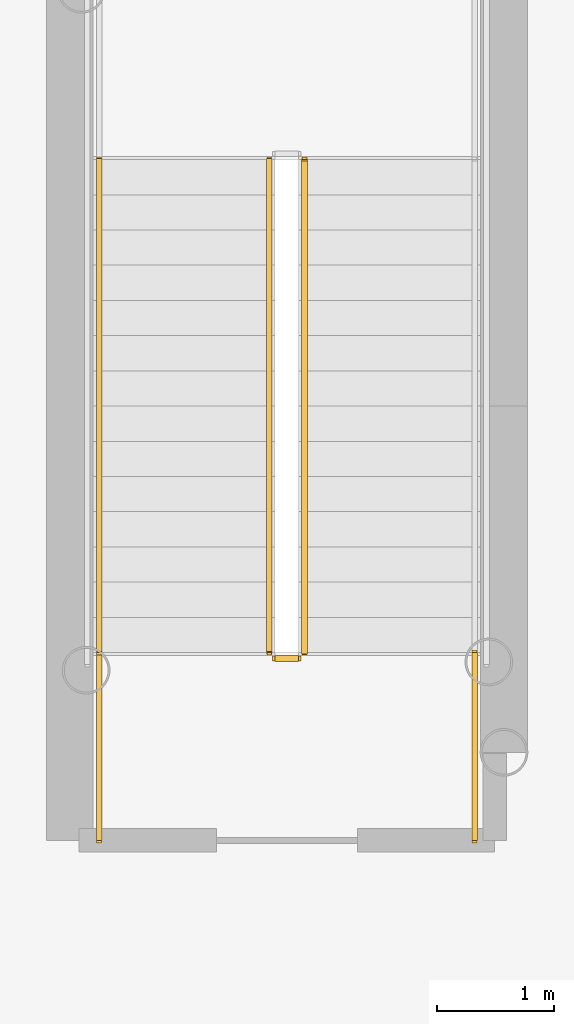
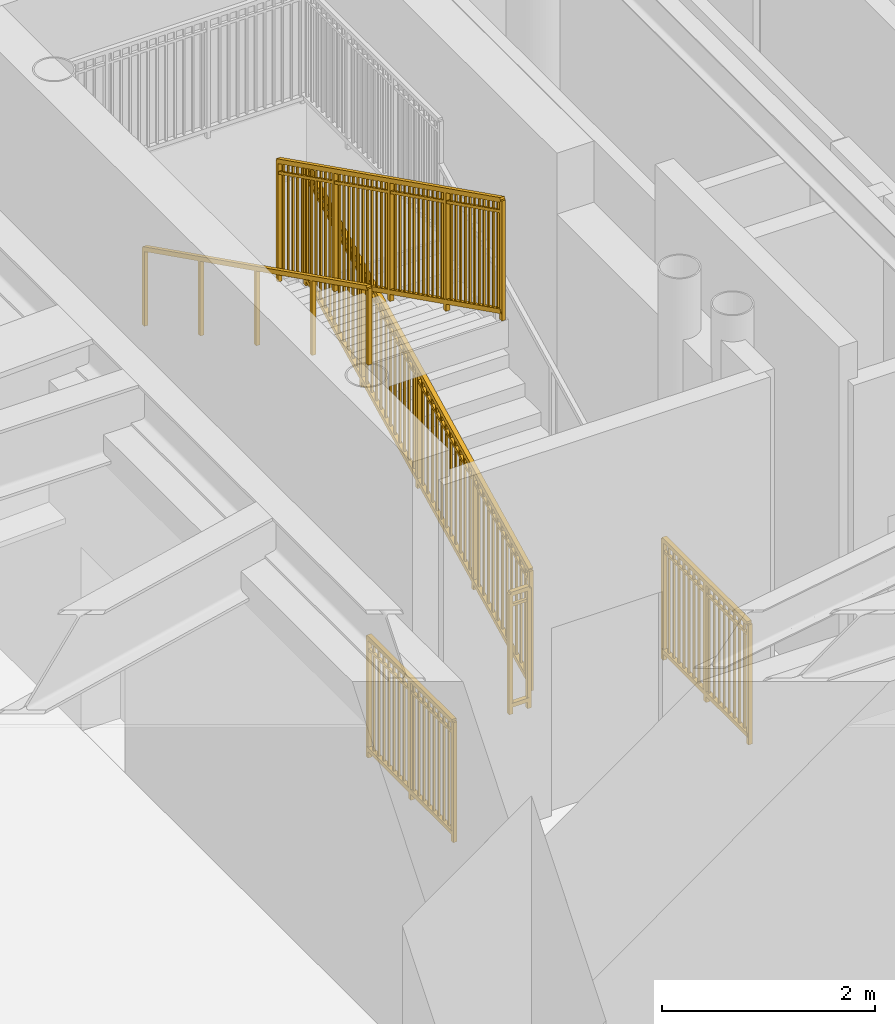
# One storey, part 16 of 21: 6 railings.
"""IFC4 building model written with IfcOpenShell, lengths in metres."""

from ifc_helpers import new_model, si_unit, direction, frame, origin, origin_2d, place, context, subcontext, project, spatial, rectangle, extrude, source, transform, mapped, material, type_object, element, save


model = new_model("IFC4")

# Units and contexts
model_context = context("Model", 3, precision=1e-05, world=origin(), true_north=direction((0.0, 1.0)))
body_context = subcontext(model_context, "Body", "Model", "MODEL_VIEW")
ifc_project = project(units=[si_unit("LENGTHUNIT", "METRE"), si_unit("AREAUNIT", "SQUARE_METRE"), si_unit("VOLUMEUNIT", "CUBIC_METRE"), si_unit("PLANEANGLEUNIT", "RADIAN"), si_unit("MASSUNIT", "GRAM", prefix="KILO")], contexts=[model_context])

# Site, building, storey
site_placement = place(None, origin())
site = spatial("IfcSite", under=ifc_project, at=site_placement, CompositionType="ELEMENT")
building_placement = place(site_placement, origin())
building = spatial("IfcBuilding", under=site, at=building_placement, Name="Linh Dai School and Residence Tower", CompositionType="ELEMENT")
storey_placement = place(building_placement, frame((0.0, 0.0, -4.5)))
storey = spatial("IfcBuildingStorey", under=building, at=storey_placement, Name="B01", CompositionType="ELEMENT", Elevation=-4.5)

# Railings
ifc_material_1 = material(Name="Structural Steel S355JR", Category="steel")
railing_type_1 = type_object("IfcRailingType", Name="RL-ST-GUARD-1400", PredefinedType="GUARDRAIL", material=ifc_material_1)
shared_shape_1 = source(origin(), body_context, "Body", "SweptSolid", [
    extrude(rectangle(XDim=0.048095703125, YDim=0.048095703125, at=origin_2d()), frame((0.0, 0.0, 1.3759765625), z_axis=(0.0, 0.894416792377, 0.447234392142), x_axis=(-1.0, 0.0, 0.0)), (0.0, 0.0, 1.0), 4.69580078125),
    extrude(rectangle(XDim=0.048095703125, YDim=0.048095703125, at=origin_2d()), frame((0.0, 0.0, 0.10009765625), z_axis=(0.0, 0.894416792377, 0.447234392142), x_axis=(-1.0, 0.0, 0.0)), (0.0, 0.0, 1.0), 4.69580078125),
    extrude(rectangle(XDim=0.030029296875, YDim=0.030029296875, at=origin_2d()), frame((0.0, 0.0, 1.239990234375), z_axis=(0.0, 0.894416792377, 0.447234392142), x_axis=(-1.0, 0.0, 0.0)), (0.0, 0.0, 1.0), 4.69580078125),
    extrude(rectangle(XDim=0.02001953125, YDim=0.02001953125, at=origin_2d()), frame((0.0, 0.08740234375, 0.143798828125)), (0.0, 0.0, 1.0), 1.251708984375),
    extrude(rectangle(XDim=0.02001953125, YDim=0.02001953125, at=origin_2d()), frame((0.0, 0.175048828125, 0.1875)), (0.0, 0.0, 1.0), 1.251708984375),
    extrude(rectangle(XDim=0.02001953125, YDim=0.02001953125, at=origin_2d()), frame((0.0, 0.262451171875, 0.2314453125)), (0.0, 0.0, 1.0), 1.251708984375),
    extrude(rectangle(XDim=0.02001953125, YDim=0.02001953125, at=origin_2d()), frame((0.0, 0.35009765625, 0.275146484375)), (0.0, 0.0, 1.0), 1.251708984375),
    extrude(rectangle(XDim=0.02001953125, YDim=0.02001953125, at=origin_2d()), frame((0.0, 0.4375, 0.31884765625)), (0.0, 0.0, 1.0), 1.251708984375),
    extrude(rectangle(XDim=0.02001953125, YDim=0.02001953125, at=origin_2d()), frame((0.0, 0.52490234375, 0.362548828125)), (0.0, 0.0, 1.0), 1.251708984375),
    extrude(rectangle(XDim=0.02001953125, YDim=0.02001953125, at=origin_2d()), frame((0.0, 0.612548828125, 0.40625)), (0.0, 0.0, 1.0), 1.251708984375),
    extrude(rectangle(XDim=0.02001953125, YDim=0.02001953125, at=origin_2d()), frame((0.0, 0.699951171875, 0.4501953125)), (0.0, 0.0, 1.0), 1.251708984375),
    extrude(rectangle(XDim=0.02001953125, YDim=0.02001953125, at=origin_2d()), frame((0.0, 0.78759765625, 0.493896484375)), (0.0, 0.0, 1.0), 1.251708984375),
    extrude(rectangle(XDim=0.02001953125, YDim=0.02001953125, at=origin_2d()), frame((0.0, 0.875, 0.53759765625)), (0.0, 0.0, 1.0), 1.251708984375),
    extrude(rectangle(XDim=0.02001953125, YDim=0.02001953125, at=origin_2d()), frame((0.0, 0.96240234375, 0.581298828125)), (0.0, 0.0, 1.0), 1.251708984375),
    extrude(rectangle(XDim=0.02001953125, YDim=0.02001953125, at=origin_2d()), frame((0.0, 1.137451171875, 0.6689453125)), (0.0, 0.0, 1.0), 1.251708984375),
    extrude(rectangle(XDim=0.02001953125, YDim=0.02001953125, at=origin_2d()), frame((0.0, 1.22509765625, 0.712646484375)), (0.0, 0.0, 1.0), 1.251708984375),
    extrude(rectangle(XDim=0.02001953125, YDim=0.02001953125, at=origin_2d()), frame((0.0, 1.3125, 0.75634765625)), (0.0, 0.0, 1.0), 1.251708984375),
    extrude(rectangle(XDim=0.02001953125, YDim=0.02001953125, at=origin_2d()), frame((0.0, 1.39990234375, 0.800048828125)), (0.0, 0.0, 1.0), 1.251708984375),
    extrude(rectangle(XDim=0.02001953125, YDim=0.02001953125, at=origin_2d()), frame((0.0, 1.487548828125, 0.843994140625)), (0.0, 0.0, 1.0), 1.251708984375),
    extrude(rectangle(XDim=0.02001953125, YDim=0.02001953125, at=origin_2d()), frame((0.0, 1.574951171875, 0.8876953125)), (0.0, 0.0, 1.0), 1.251708984375),
    extrude(rectangle(XDim=0.02001953125, YDim=0.02001953125, at=origin_2d()), frame((0.0, 1.66259765625, 0.931396484375)), (0.0, 0.0, 1.0), 1.251708984375),
    extrude(rectangle(XDim=0.02001953125, YDim=0.02001953125, at=origin_2d()), frame((0.0, 1.75, 0.97509765625)), (0.0, 0.0, 1.0), 1.251708984375),
    extrude(rectangle(XDim=0.02001953125, YDim=0.02001953125, at=origin_2d()), frame((0.0, 1.83740234375, 1.018798828125)), (0.0, 0.0, 1.0), 1.251708984375),
    extrude(rectangle(XDim=0.02001953125, YDim=0.02001953125, at=origin_2d()), frame((0.0, 1.925048828125, 1.062744140625)), (0.0, 0.0, 1.0), 1.251708984375),
    extrude(rectangle(XDim=0.02001953125, YDim=0.02001953125, at=origin_2d()), frame((0.0, 2.012451171875, 1.1064453125)), (0.0, 0.0, 1.0), 1.251708984375),
    extrude(rectangle(XDim=0.02001953125, YDim=0.02001953125, at=origin_2d()), frame((0.0, 2.1875, 1.19384765625)), (0.0, 0.0, 1.0), 1.251708984375),
    extrude(rectangle(XDim=0.02001953125, YDim=0.02001953125, at=origin_2d()), frame((0.0, 2.27490234375, 1.237548828125)), (0.0, 0.0, 1.0), 1.251708984375),
    extrude(rectangle(XDim=0.02001953125, YDim=0.02001953125, at=origin_2d()), frame((0.0, 2.362548828125, 1.281494140625)), (0.0, 0.0, 1.0), 1.251708984375),
    extrude(rectangle(XDim=0.02001953125, YDim=0.02001953125, at=origin_2d()), frame((0.0, 2.449951171875, 1.3251953125)), (0.0, 0.0, 1.0), 1.251708984375),
    extrude(rectangle(XDim=0.02001953125, YDim=0.02001953125, at=origin_2d()), frame((0.0, 2.537353515625, 1.368896484375)), (0.0, 0.0, 1.0), 1.251708984375),
    extrude(rectangle(XDim=0.02001953125, YDim=0.02001953125, at=origin_2d()), frame((0.0, 2.625, 1.41259765625)), (0.0, 0.0, 1.0), 1.251708984375),
    extrude(rectangle(XDim=0.02001953125, YDim=0.02001953125, at=origin_2d()), frame((0.0, 2.71240234375, 1.456298828125)), (0.0, 0.0, 1.0), 1.251708984375),
    extrude(rectangle(XDim=0.02001953125, YDim=0.02001953125, at=origin_2d()), frame((0.0, 2.800048828125, 1.500244140625)), (0.0, 0.0, 1.0), 1.251708984375),
    extrude(rectangle(XDim=0.02001953125, YDim=0.02001953125, at=origin_2d()), frame((0.0, 2.887451171875, 1.5439453125)), (0.0, 0.0, 1.0), 1.251708984375),
    extrude(rectangle(XDim=0.02001953125, YDim=0.02001953125, at=origin_2d()), frame((0.0, 2.974853515625, 1.587646484375)), (0.0, 0.0, 1.0), 1.251708984375),
    extrude(rectangle(XDim=0.02001953125, YDim=0.02001953125, at=origin_2d()), frame((0.0, 3.0625, 1.63134765625)), (0.0, 0.0, 1.0), 1.251708984375),
    extrude(rectangle(XDim=0.02001953125, YDim=0.02001953125, at=origin_2d()), frame((0.0, 3.237548828125, 1.718994140625)), (0.0, 0.0, 1.0), 1.251708984375),
    extrude(rectangle(XDim=0.02001953125, YDim=0.02001953125, at=origin_2d()), frame((0.0, 3.324951171875, 1.7626953125)), (0.0, 0.0, 1.0), 1.251708984375),
    extrude(rectangle(XDim=0.02001953125, YDim=0.02001953125, at=origin_2d()), frame((0.0, 3.412353515625, 1.806396484375)), (0.0, 0.0, 1.0), 1.251708984375),
    extrude(rectangle(XDim=0.02001953125, YDim=0.02001953125, at=origin_2d()), frame((0.0, 3.5, 1.85009765625)), (0.0, 0.0, 1.0), 1.251708984375),
    extrude(rectangle(XDim=0.02001953125, YDim=0.02001953125, at=origin_2d()), frame((0.0, 3.58740234375, 1.89404296875)), (0.0, 0.0, 1.0), 1.251708984375),
    extrude(rectangle(XDim=0.02001953125, YDim=0.02001953125, at=origin_2d()), frame((0.0, 3.675048828125, 1.937744140625)), (0.0, 0.0, 1.0), 1.251708984375),
    extrude(rectangle(XDim=0.02001953125, YDim=0.02001953125, at=origin_2d()), frame((0.0, 3.762451171875, 1.9814453125)), (0.0, 0.0, 1.0), 1.251708984375),
    extrude(rectangle(XDim=0.02001953125, YDim=0.02001953125, at=origin_2d()), frame((0.0, 3.849853515625, 2.025146484375)), (0.0, 0.0, 1.0), 1.251708984375),
    extrude(rectangle(XDim=0.02001953125, YDim=0.02001953125, at=origin_2d()), frame((0.0, 3.9375, 2.06884765625)), (0.0, 0.0, 1.0), 1.251708984375),
    extrude(rectangle(XDim=0.02001953125, YDim=0.02001953125, at=origin_2d()), frame((0.0, 4.02490234375, 2.11279296875)), (0.0, 0.0, 1.0), 1.251708984375),
    extrude(rectangle(XDim=0.02001953125, YDim=0.02001953125, at=origin_2d()), frame((0.0, 4.112548828125, 2.156494140625)), (0.0, 0.0, 1.0), 1.251708984375),
    extrude(rectangle(XDim=0.0419921875, YDim=0.0419921875, at=origin_2d()), origin(), (0.0, 0.0, 1.0), 1.3759765625),
    extrude(rectangle(XDim=0.0419921875, YDim=0.0419921875, at=origin_2d()), frame((0.0, 1.050048828125, 0.52490234375)), (0.0, 0.0, 1.0), 1.3759765625),
    extrude(rectangle(XDim=0.0419921875, YDim=0.0419921875, at=origin_2d()), frame((0.0, 2.10009765625, 1.050048828125)), (0.0, 0.0, 1.0), 1.3759765625),
    extrude(rectangle(XDim=0.0419921875, YDim=0.0419921875, at=origin_2d()), frame((0.0, 3.14990234375, 1.5751953125)), (0.0, 0.0, 1.0), 1.3759765625),
    extrude(rectangle(XDim=0.0419921875, YDim=0.0419921875, at=origin_2d()), frame((0.0, 4.199951171875, 2.10009765625)), (0.0, 0.0, 1.0), 1.3759765625),
])
railing_1_placement = place(storey_placement, frame((29.47998046875, 25.699951171875, 0.14990234375)))
element("IfcRailing", 1, at=railing_1_placement, inside=storey, type_object=railing_type_1, Name="B01 ST1 stair guard 1", PredefinedType="GUARDRAIL", context=body_context, shape_type="MappedRepresentation", body=[
    mapped(shared_shape_1, transform((0.0, 0.0, 0.0), x_axis=(1.0, 0.0, 0.0), y_axis=(0.0, 1.0, 0.0), z_axis=(0.0, 0.0, 1.0), scale=1.0)),
])
shared_shape_2 = source(origin(), body_context, "Body", "SweptSolid", [
    extrude(rectangle(XDim=0.048095703125, YDim=0.048095703125, at=origin_2d()), frame((0.0, 0.0, 1.3759765625), z_axis=(-1.0, 0.0, 0.0), x_axis=(0.0, -1.0, 0.0)), (0.0, 0.0, 1.0), 0.199951171875),
    extrude(rectangle(XDim=0.048095703125, YDim=0.048095703125, at=origin_2d()), frame((0.0, 0.0, 0.10009765625), z_axis=(-1.0, 0.0, 0.0), x_axis=(0.0, -1.0, 0.0)), (0.0, 0.0, 1.0), 0.199951171875),
    extrude(rectangle(XDim=0.030029296875, YDim=0.030029296875, at=origin_2d()), frame((0.0, 0.0, 1.239990234375), z_axis=(-1.0, 0.0, 0.0), x_axis=(0.0, -1.0, 0.0)), (0.0, 0.0, 1.0), 0.199951171875),
    extrude(rectangle(XDim=0.0419921875, YDim=0.0419921875, at=origin_2d()), origin(), (0.0, 0.0, 1.0), 1.3759765625),
    extrude(rectangle(XDim=0.0419921875, YDim=0.0419921875, at=origin_2d()), frame((-0.199951171875, 0.0, 0.0)), (0.0, 0.0, 1.0), 1.3759765625),
])
railing_2_placement = place(storey_placement, frame((29.429931640625, 25.64990234375, 0.0)))
element("IfcRailing", 2, at=railing_2_placement, inside=storey, type_object=railing_type_1, Name="B01 ST1 stair guard 7", PredefinedType="GUARDRAIL", context=body_context, shape_type="MappedRepresentation", body=[
    mapped(shared_shape_2, transform((0.0, 0.0, 0.0), x_axis=(1.0, 0.0, 0.0), y_axis=(0.0, 1.0, 0.0), z_axis=(0.0, 0.0, 1.0), scale=1.0)),
])
shared_shape_3 = source(origin(), body_context, "Body", "SweptSolid", [
    extrude(rectangle(XDim=0.048095703125, YDim=0.048095703125, at=origin_2d()), frame((0.0, 0.0, 1.3759765625), z_axis=(0.0, -0.894416792377, 0.447234392142), x_axis=(1.0, 0.0, 0.0)), (0.0, 0.0, 1.0), 4.69580078125),
    extrude(rectangle(XDim=0.048095703125, YDim=0.048095703125, at=origin_2d()), frame((0.0, 0.0, 0.10009765625), z_axis=(0.0, -0.894416792377, 0.447234392142), x_axis=(1.0, 0.0, 0.0)), (0.0, 0.0, 1.0), 4.69580078125),
    extrude(rectangle(XDim=0.030029296875, YDim=0.030029296875, at=origin_2d()), frame((0.0, 0.0, 1.239990234375), z_axis=(0.0, -0.894416792377, 0.447234392142), x_axis=(1.0, 0.0, 0.0)), (0.0, 0.0, 1.0), 4.69580078125),
    extrude(rectangle(XDim=0.02001953125, YDim=0.02001953125, at=origin_2d()), frame((0.0, -0.08740234375, 0.143798828125)), (0.0, 0.0, 1.0), 1.251708984375),
    extrude(rectangle(XDim=0.02001953125, YDim=0.02001953125, at=origin_2d()), frame((0.0, -0.175048828125, 0.1875)), (0.0, 0.0, 1.0), 1.251708984375),
    extrude(rectangle(XDim=0.02001953125, YDim=0.02001953125, at=origin_2d()), frame((0.0, -0.262451171875, 0.2314453125)), (0.0, 0.0, 1.0), 1.251708984375),
    extrude(rectangle(XDim=0.02001953125, YDim=0.02001953125, at=origin_2d()), frame((0.0, -0.35009765625, 0.275146484375)), (0.0, 0.0, 1.0), 1.251708984375),
    extrude(rectangle(XDim=0.02001953125, YDim=0.02001953125, at=origin_2d()), frame((0.0, -0.4375, 0.31884765625)), (0.0, 0.0, 1.0), 1.251708984375),
    extrude(rectangle(XDim=0.02001953125, YDim=0.02001953125, at=origin_2d()), frame((0.0, -0.52490234375, 0.362548828125)), (0.0, 0.0, 1.0), 1.251708984375),
    extrude(rectangle(XDim=0.02001953125, YDim=0.02001953125, at=origin_2d()), frame((0.0, -0.612548828125, 0.40625)), (0.0, 0.0, 1.0), 1.251708984375),
    extrude(rectangle(XDim=0.02001953125, YDim=0.02001953125, at=origin_2d()), frame((0.0, -0.699951171875, 0.4501953125)), (0.0, 0.0, 1.0), 1.251708984375),
    extrude(rectangle(XDim=0.02001953125, YDim=0.02001953125, at=origin_2d()), frame((0.0, -0.78759765625, 0.493896484375)), (0.0, 0.0, 1.0), 1.251708984375),
    extrude(rectangle(XDim=0.02001953125, YDim=0.02001953125, at=origin_2d()), frame((0.0, -0.875, 0.53759765625)), (0.0, 0.0, 1.0), 1.251708984375),
    extrude(rectangle(XDim=0.02001953125, YDim=0.02001953125, at=origin_2d()), frame((0.0, -0.96240234375, 0.581298828125)), (0.0, 0.0, 1.0), 1.251708984375),
    extrude(rectangle(XDim=0.02001953125, YDim=0.02001953125, at=origin_2d()), frame((0.0, -1.137451171875, 0.6689453125)), (0.0, 0.0, 1.0), 1.251708984375),
    extrude(rectangle(XDim=0.02001953125, YDim=0.02001953125, at=origin_2d()), frame((0.0, -1.22509765625, 0.712646484375)), (0.0, 0.0, 1.0), 1.251708984375),
    extrude(rectangle(XDim=0.02001953125, YDim=0.02001953125, at=origin_2d()), frame((0.0, -1.3125, 0.75634765625)), (0.0, 0.0, 1.0), 1.251708984375),
    extrude(rectangle(XDim=0.02001953125, YDim=0.02001953125, at=origin_2d()), frame((0.0, -1.39990234375, 0.800048828125)), (0.0, 0.0, 1.0), 1.251708984375),
    extrude(rectangle(XDim=0.02001953125, YDim=0.02001953125, at=origin_2d()), frame((0.0, -1.487548828125, 0.843994140625)), (0.0, 0.0, 1.0), 1.251708984375),
    extrude(rectangle(XDim=0.02001953125, YDim=0.02001953125, at=origin_2d()), frame((0.0, -1.574951171875, 0.8876953125)), (0.0, 0.0, 1.0), 1.251708984375),
    extrude(rectangle(XDim=0.02001953125, YDim=0.02001953125, at=origin_2d()), frame((0.0, -1.66259765625, 0.931396484375)), (0.0, 0.0, 1.0), 1.251708984375),
    extrude(rectangle(XDim=0.02001953125, YDim=0.02001953125, at=origin_2d()), frame((0.0, -1.75, 0.97509765625)), (0.0, 0.0, 1.0), 1.251708984375),
    extrude(rectangle(XDim=0.02001953125, YDim=0.02001953125, at=origin_2d()), frame((0.0, -1.83740234375, 1.018798828125)), (0.0, 0.0, 1.0), 1.251708984375),
    extrude(rectangle(XDim=0.02001953125, YDim=0.02001953125, at=origin_2d()), frame((0.0, -1.925048828125, 1.062744140625)), (0.0, 0.0, 1.0), 1.251708984375),
    extrude(rectangle(XDim=0.02001953125, YDim=0.02001953125, at=origin_2d()), frame((0.0, -2.012451171875, 1.1064453125)), (0.0, 0.0, 1.0), 1.251708984375),
    extrude(rectangle(XDim=0.02001953125, YDim=0.02001953125, at=origin_2d()), frame((0.0, -2.1875, 1.19384765625)), (0.0, 0.0, 1.0), 1.251708984375),
    extrude(rectangle(XDim=0.02001953125, YDim=0.02001953125, at=origin_2d()), frame((0.0, -2.27490234375, 1.237548828125)), (0.0, 0.0, 1.0), 1.251708984375),
    extrude(rectangle(XDim=0.02001953125, YDim=0.02001953125, at=origin_2d()), frame((0.0, -2.362548828125, 1.281494140625)), (0.0, 0.0, 1.0), 1.251708984375),
    extrude(rectangle(XDim=0.02001953125, YDim=0.02001953125, at=origin_2d()), frame((0.0, -2.449951171875, 1.3251953125)), (0.0, 0.0, 1.0), 1.251708984375),
    extrude(rectangle(XDim=0.02001953125, YDim=0.02001953125, at=origin_2d()), frame((0.0, -2.537353515625, 1.368896484375)), (0.0, 0.0, 1.0), 1.251708984375),
    extrude(rectangle(XDim=0.02001953125, YDim=0.02001953125, at=origin_2d()), frame((0.0, -2.625, 1.41259765625)), (0.0, 0.0, 1.0), 1.251708984375),
    extrude(rectangle(XDim=0.02001953125, YDim=0.02001953125, at=origin_2d()), frame((0.0, -2.71240234375, 1.456298828125)), (0.0, 0.0, 1.0), 1.251708984375),
    extrude(rectangle(XDim=0.02001953125, YDim=0.02001953125, at=origin_2d()), frame((0.0, -2.800048828125, 1.500244140625)), (0.0, 0.0, 1.0), 1.251708984375),
    extrude(rectangle(XDim=0.02001953125, YDim=0.02001953125, at=origin_2d()), frame((0.0, -2.887451171875, 1.5439453125)), (0.0, 0.0, 1.0), 1.251708984375),
    extrude(rectangle(XDim=0.02001953125, YDim=0.02001953125, at=origin_2d()), frame((0.0, -2.974853515625, 1.587646484375)), (0.0, 0.0, 1.0), 1.251708984375),
    extrude(rectangle(XDim=0.02001953125, YDim=0.02001953125, at=origin_2d()), frame((0.0, -3.0625, 1.63134765625)), (0.0, 0.0, 1.0), 1.251708984375),
    extrude(rectangle(XDim=0.02001953125, YDim=0.02001953125, at=origin_2d()), frame((0.0, -3.237548828125, 1.718994140625)), (0.0, 0.0, 1.0), 1.251708984375),
    extrude(rectangle(XDim=0.02001953125, YDim=0.02001953125, at=origin_2d()), frame((0.0, -3.324951171875, 1.7626953125)), (0.0, 0.0, 1.0), 1.251708984375),
    extrude(rectangle(XDim=0.02001953125, YDim=0.02001953125, at=origin_2d()), frame((0.0, -3.412353515625, 1.806396484375)), (0.0, 0.0, 1.0), 1.251708984375),
    extrude(rectangle(XDim=0.02001953125, YDim=0.02001953125, at=origin_2d()), frame((0.0, -3.5, 1.85009765625)), (0.0, 0.0, 1.0), 1.251708984375),
    extrude(rectangle(XDim=0.02001953125, YDim=0.02001953125, at=origin_2d()), frame((0.0, -3.58740234375, 1.89404296875)), (0.0, 0.0, 1.0), 1.251708984375),
    extrude(rectangle(XDim=0.02001953125, YDim=0.02001953125, at=origin_2d()), frame((0.0, -3.675048828125, 1.937744140625)), (0.0, 0.0, 1.0), 1.251708984375),
    extrude(rectangle(XDim=0.02001953125, YDim=0.02001953125, at=origin_2d()), frame((0.0, -3.762451171875, 1.9814453125)), (0.0, 0.0, 1.0), 1.251708984375),
    extrude(rectangle(XDim=0.02001953125, YDim=0.02001953125, at=origin_2d()), frame((0.0, -3.849853515625, 2.025146484375)), (0.0, 0.0, 1.0), 1.251708984375),
    extrude(rectangle(XDim=0.02001953125, YDim=0.02001953125, at=origin_2d()), frame((0.0, -3.9375, 2.06884765625)), (0.0, 0.0, 1.0), 1.251708984375),
    extrude(rectangle(XDim=0.02001953125, YDim=0.02001953125, at=origin_2d()), frame((0.0, -4.02490234375, 2.11279296875)), (0.0, 0.0, 1.0), 1.251708984375),
    extrude(rectangle(XDim=0.02001953125, YDim=0.02001953125, at=origin_2d()), frame((0.0, -4.112548828125, 2.156494140625)), (0.0, 0.0, 1.0), 1.251708984375),
    extrude(rectangle(XDim=0.0419921875, YDim=0.0419921875, at=origin_2d()), origin(), (0.0, 0.0, 1.0), 1.3759765625),
    extrude(rectangle(XDim=0.0419921875, YDim=0.0419921875, at=origin_2d()), frame((0.0, -1.050048828125, 0.52490234375)), (0.0, 0.0, 1.0), 1.3759765625),
    extrude(rectangle(XDim=0.0419921875, YDim=0.0419921875, at=origin_2d()), frame((0.0, -2.10009765625, 1.050048828125)), (0.0, 0.0, 1.0), 1.3759765625),
    extrude(rectangle(XDim=0.0419921875, YDim=0.0419921875, at=origin_2d()), frame((0.0, -3.14990234375, 1.5751953125)), (0.0, 0.0, 1.0), 1.3759765625),
    extrude(rectangle(XDim=0.0419921875, YDim=0.0419921875, at=origin_2d()), frame((0.0, -4.199951171875, 2.10009765625)), (0.0, 0.0, 1.0), 1.3759765625),
])
railing_3_placement = place(storey_placement, frame((29.179931640625, 29.89990234375, 2.39990234375)))
element("IfcRailing", 3, at=railing_3_placement, inside=storey, type_object=railing_type_1, Name="B01 ST1 stair guard 6", PredefinedType="GUARDRAIL", context=body_context, shape_type="MappedRepresentation", body=[
    mapped(shared_shape_3, transform((0.0, 0.0, 0.0), x_axis=(1.0, 0.0, 0.0), y_axis=(0.0, 1.0, 0.0), z_axis=(0.0, 0.0, 1.0), scale=1.0)),
])
shared_shape_4 = source(origin(), body_context, "Body", "SweptSolid", [
    extrude(rectangle(XDim=0.048095703125, YDim=0.048095703125, at=origin_2d()), frame((0.0, 0.0, 1.3759765625), z_axis=(0.0, 1.0, 0.0), x_axis=(-1.0, 0.0, 0.0)), (0.0, 0.0, 1.0), 1.599853515625),
    extrude(rectangle(XDim=0.048095703125, YDim=0.048095703125, at=origin_2d()), frame((0.0, 0.0, 0.10009765625), z_axis=(0.0, 1.0, 0.0), x_axis=(-1.0, 0.0, 0.0)), (0.0, 0.0, 1.0), 1.599853515625),
    extrude(rectangle(XDim=0.030029296875, YDim=0.030029296875, at=origin_2d()), frame((0.0, 0.0, 1.239990234375), z_axis=(0.0, 1.0, 0.0), x_axis=(-1.0, 0.0, 0.0)), (0.0, 0.0, 1.0), 1.599853515625),
    extrude(rectangle(XDim=0.02001953125, YDim=0.02001953125, at=origin_2d()), frame((0.0, 0.093994140625, 0.10009765625)), (0.0, 0.0, 1.0), 1.251708984375),
    extrude(rectangle(XDim=0.02001953125, YDim=0.02001953125, at=origin_2d()), frame((0.0, 0.188232421875, 0.10009765625)), (0.0, 0.0, 1.0), 1.251708984375),
    extrude(rectangle(XDim=0.02001953125, YDim=0.02001953125, at=origin_2d()), frame((0.0, 0.2822265625, 0.10009765625)), (0.0, 0.0, 1.0), 1.251708984375),
    extrude(rectangle(XDim=0.02001953125, YDim=0.02001953125, at=origin_2d()), frame((0.0, 0.37646484375, 0.10009765625)), (0.0, 0.0, 1.0), 1.251708984375),
    extrude(rectangle(XDim=0.02001953125, YDim=0.02001953125, at=origin_2d()), frame((0.0, 0.470458984375, 0.10009765625)), (0.0, 0.0, 1.0), 1.251708984375),
    extrude(rectangle(XDim=0.02001953125, YDim=0.02001953125, at=origin_2d()), frame((0.0, 0.564697265625, 0.10009765625)), (0.0, 0.0, 1.0), 1.251708984375),
    extrude(rectangle(XDim=0.02001953125, YDim=0.02001953125, at=origin_2d()), frame((0.0, 0.65869140625, 0.10009765625)), (0.0, 0.0, 1.0), 1.251708984375),
    extrude(rectangle(XDim=0.02001953125, YDim=0.02001953125, at=origin_2d()), frame((0.0, 0.7529296875, 0.10009765625)), (0.0, 0.0, 1.0), 1.251708984375),
    extrude(rectangle(XDim=0.02001953125, YDim=0.02001953125, at=origin_2d()), frame((0.0, 0.846923828125, 0.10009765625)), (0.0, 0.0, 1.0), 1.251708984375),
    extrude(rectangle(XDim=0.02001953125, YDim=0.02001953125, at=origin_2d()), frame((0.0, 0.941162109375, 0.10009765625)), (0.0, 0.0, 1.0), 1.251708984375),
    extrude(rectangle(XDim=0.02001953125, YDim=0.02001953125, at=origin_2d()), frame((0.0, 1.03515625, 0.10009765625)), (0.0, 0.0, 1.0), 1.251708984375),
    extrude(rectangle(XDim=0.02001953125, YDim=0.02001953125, at=origin_2d()), frame((0.0, 1.12939453125, 0.10009765625)), (0.0, 0.0, 1.0), 1.251708984375),
    extrude(rectangle(XDim=0.02001953125, YDim=0.02001953125, at=origin_2d()), frame((0.0, 1.223388671875, 0.10009765625)), (0.0, 0.0, 1.0), 1.251708984375),
    extrude(rectangle(XDim=0.02001953125, YDim=0.02001953125, at=origin_2d()), frame((0.0, 1.317626953125, 0.10009765625)), (0.0, 0.0, 1.0), 1.251708984375),
    extrude(rectangle(XDim=0.02001953125, YDim=0.02001953125, at=origin_2d()), frame((0.0, 1.41162109375, 0.10009765625)), (0.0, 0.0, 1.0), 1.251708984375),
    extrude(rectangle(XDim=0.02001953125, YDim=0.02001953125, at=origin_2d()), frame((0.0, 1.505859375, 0.10009765625)), (0.0, 0.0, 1.0), 1.251708984375),
    extrude(rectangle(XDim=0.0419921875, YDim=0.0419921875, at=origin_2d()), origin(), (0.0, 0.0, 1.0), 1.3759765625),
    extrude(rectangle(XDim=0.0419921875, YDim=0.0419921875, at=origin_2d()), frame((0.0, 0.7998046875, 0.0)), (0.0, 0.0, 1.0), 1.3759765625),
    extrude(rectangle(XDim=0.0419921875, YDim=0.0419921875, at=origin_2d()), frame((0.0, 1.599853515625, 0.0)), (0.0, 0.0, 1.0), 1.3759765625),
])
for number, where, name in (
    (4, (30.929931640625, 24.10009765625, 0.0), "B01 ST1 stair guard 8"),
    (5, (27.72998046875, 24.10009765625, 0.0), "B01 ST1 stair guard 9"),
):
    element("IfcRailing", number, at=place(storey_placement, frame(where)), inside=storey, type_object=railing_type_1, Name=name, PredefinedType="GUARDRAIL", context=body_context, shape_type="MappedRepresentation", body=[
        mapped(shared_shape_4, transform((0.0, 0.0, 0.0), x_axis=(1.0, 0.0, 0.0), y_axis=(0.0, 1.0, 0.0), z_axis=(0.0, 0.0, 1.0), scale=1.0)),
    ])
ifc_material_2 = material(Name="Brushed Stainless Steel Handrail", Category="steel")
railing_type_2 = type_object("IfcRailingType", Name="RL-ST-HANDRAIL-900", PredefinedType="HANDRAIL", material=ifc_material_2)
shared_shape_5 = source(origin(), body_context, "Body", "SweptSolid", [
    extrude(rectangle(XDim=0.048095703125, YDim=0.048095703125, at=origin_2d()), frame((0.0, 0.0, 0.8759765625), z_axis=(0.0, -0.894416792377, 0.447234392142), x_axis=(1.0, 0.0, 0.0)), (0.0, 0.0, 1.0), 4.69580078125),
    extrude(rectangle(XDim=0.0419921875, YDim=0.0419921875, at=origin_2d()), origin(), (0.0, 0.0, 1.0), 0.8759765625),
    extrude(rectangle(XDim=0.0419921875, YDim=0.0419921875, at=origin_2d()), frame((0.0, -1.050048828125, 0.52490234375)), (0.0, 0.0, 1.0), 0.8759765625),
    extrude(rectangle(XDim=0.0419921875, YDim=0.0419921875, at=origin_2d()), frame((0.0, -2.10009765625, 1.050048828125)), (0.0, 0.0, 1.0), 0.8759765625),
    extrude(rectangle(XDim=0.0419921875, YDim=0.0419921875, at=origin_2d()), frame((0.0, -3.14990234375, 1.5751953125)), (0.0, 0.0, 1.0), 0.8759765625),
    extrude(rectangle(XDim=0.0419921875, YDim=0.0419921875, at=origin_2d()), frame((0.0, -4.199951171875, 2.10009765625)), (0.0, 0.0, 1.0), 0.8759765625),
])
railing_4_placement = place(storey_placement, frame((27.72998046875, 29.89990234375, 2.39990234375)))
element("IfcRailing", 6, at=railing_4_placement, inside=storey, type_object=railing_type_2, Name="B01 ST1 stair handrail 2", PredefinedType="HANDRAIL", context=body_context, shape_type="MappedRepresentation", body=[
    mapped(shared_shape_5, transform((0.0, 0.0, 0.0), x_axis=(1.0, 0.0, 0.0), y_axis=(0.0, 1.0, 0.0), z_axis=(0.0, 0.0, 1.0), scale=1.0)),
])

save(model, "model.ifc")
